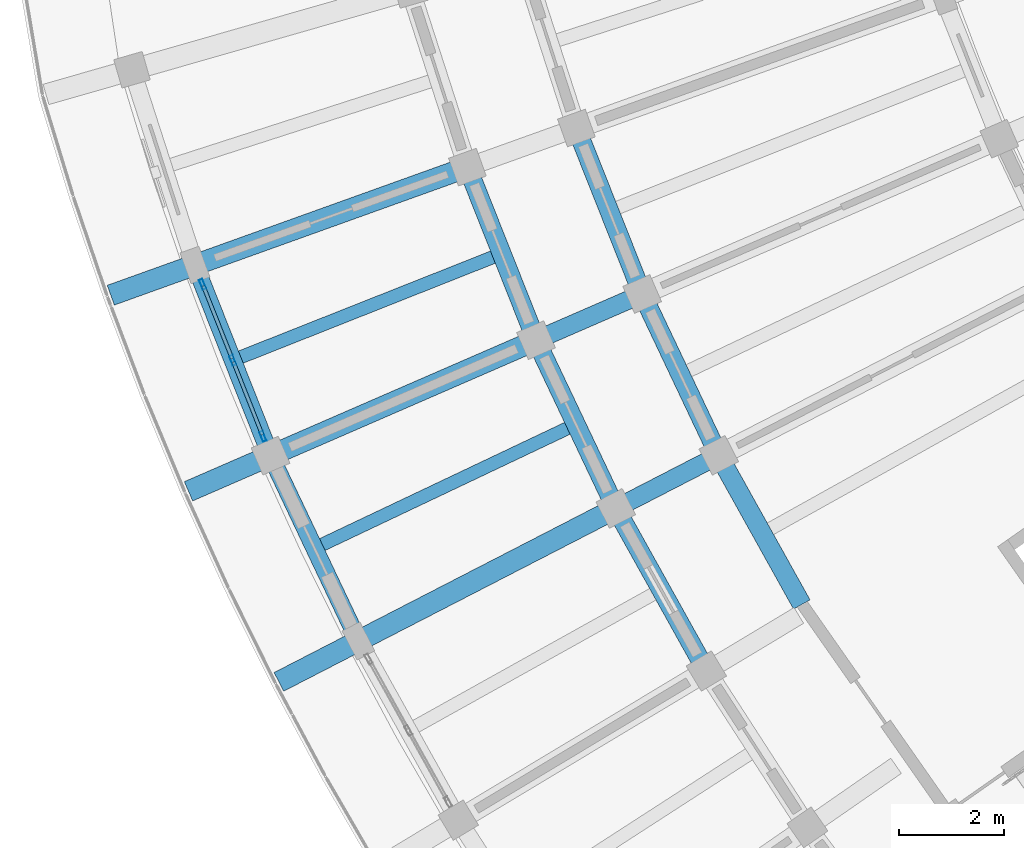
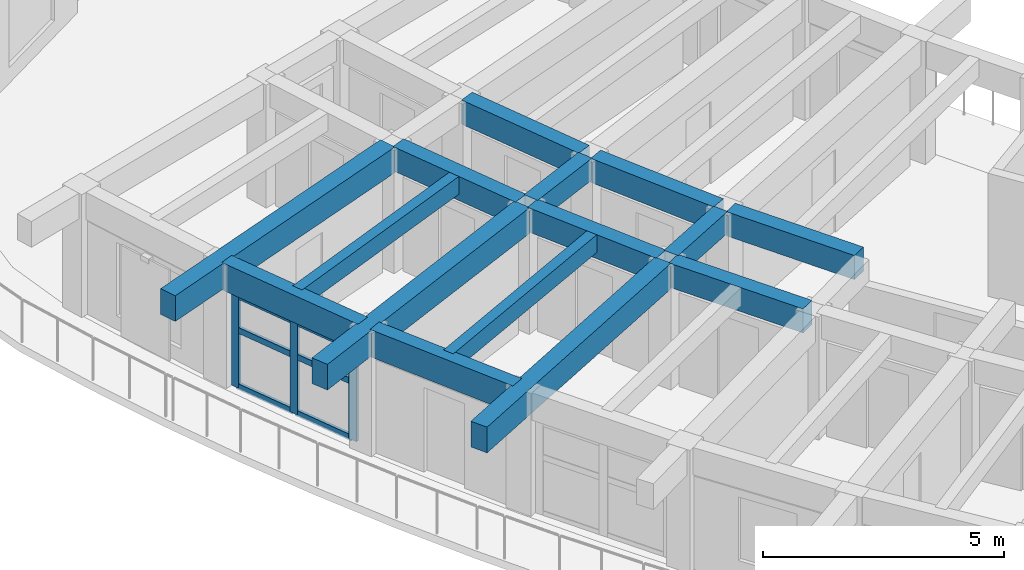
# One storey, part 10 of 96: 15 beams, 9 members, 1 element without a shape of its own.
"""IFC4 building model written with IfcOpenShell, lengths in metres."""

from ifc_helpers import new_model, si_unit, direction, frame, origin, origin_2d, place, context, subcontext, project, spatial, rectangle, hollow_rectangle, extrude, material, material_profile, profile_set, type_object, element, aggregate, save


model = new_model("IFC4")

# Units and contexts
model_context = context("Model", 3, precision=1e-05, world=origin(), true_north=direction((0.0, 1.0)))
body_context = subcontext(model_context, "Body", "Model", "MODEL_VIEW")
ifc_project = project(units=[si_unit("LENGTHUNIT", "METRE"), si_unit("AREAUNIT", "SQUARE_METRE"), si_unit("VOLUMEUNIT", "CUBIC_METRE"), si_unit("PLANEANGLEUNIT", "RADIAN"), si_unit("MASSUNIT", "GRAM", prefix="KILO")], contexts=[model_context])

# Site, building, storey
site_placement = place(None, origin())
site = spatial("IfcSite", under=ifc_project, at=site_placement, CompositionType="ELEMENT")
building_placement = place(site_placement, origin())
building = spatial("IfcBuilding", under=site, at=building_placement, Name="Tanwirah Colonnade Gardens", CompositionType="ELEMENT")
storey_placement = place(building_placement, frame((0.0, 0.0, 12.199951171875)))
storey = spatial("IfcBuildingStorey", under=building, at=storey_placement, Name="L03", CompositionType="ELEMENT", Elevation=12.199951171875)

# Beams
ifc_material_1 = material(Name="Precast concrete C40/50", Category="concrete")
ifc_material_profile_1 = material_profile(ifc_material_1, rectangle(XDim=0.360107421875, YDim=0.610107421875, at=origin_2d()), Name="PC-BM 360x610")
ifc_profile_set_1 = profile_set([ifc_material_profile_1], Name="Precast concrete C40/50")
beam_type_1 = type_object("IfcBeamType", Name="BM-PC300", PredefinedType="BEAM", material=ifc_profile_set_1)
beam_1_placement = place(storey_placement, frame((16.25537109375, 46.839599609375, 2.800048828125), z_axis=(0.368544574427, -0.929610077753, 0.0), x_axis=(0.929610077753, 0.368544574427, 0.0)))
element("IfcBeam", 1, at=beam_1_placement, inside=storey, type_object=beam_type_1, Name="Block C L03 Circumferential Beam 1-R1", PredefinedType="BEAM", context=body_context, shape_type="SweptSolid", body=[
    extrude(rectangle(XDim=0.360107421875, YDim=0.610107421875, at=origin_2d()), origin(), (0.0, 0.0, 1.0), 3.093017578125),
])
beam_2_placement = place(storey_placement, frame((14.184814453125, 46.09619140625, 2.800048828125), z_axis=(0.368527954052, -0.929616666741, 0.0), x_axis=(0.929616666741, 0.368527954052, 0.0)))
element("IfcBeam", 2, at=beam_2_placement, inside=storey, type_object=beam_type_1, Name="Block C L03 Circumferential Beam 1-R2", PredefinedType="BEAM", context=body_context, shape_type="SweptSolid", body=[
    extrude(rectangle(XDim=0.360107421875, YDim=0.610107421875, at=origin_2d()), origin(), (0.0, 0.0, 1.0), 3.23681640625),
])
beam_3_placement = place(storey_placement, frame((17.5146484375, 43.689453125, 2.800048828125), z_axis=(0.428520598641, -0.903532011907, 0.0), x_axis=(0.903532011907, 0.428520598641, 0.0)))
element("IfcBeam", 3, at=beam_3_placement, inside=storey, type_object=beam_type_1, Name="Block C L03 Circumferential Beam 2-R1", PredefinedType="BEAM", context=body_context, shape_type="SweptSolid", body=[
    extrude(rectangle(XDim=0.360107421875, YDim=0.610107421875, at=origin_2d()), origin(), (0.0, 0.0, 1.0), 3.093017578125),
])
beam_4_placement = place(storey_placement, frame((15.4970703125, 42.81201171875, 2.800048828125), z_axis=(0.428562893949, -0.903511951183, 0.0), x_axis=(0.903511951183, 0.428562893949, 0.0)))
element("IfcBeam", 4, at=beam_4_placement, inside=storey, type_object=beam_type_1, Name="Block C L03 Circumferential Beam 2-R2", PredefinedType="BEAM", context=body_context, shape_type="SweptSolid", body=[
    extrude(rectangle(XDim=0.360107421875, YDim=0.610107421875, at=origin_2d()), origin(), (0.0, 0.0, 1.0), 3.23681640625),
])
beam_5_placement = place(storey_placement, frame((18.9775390625, 40.628173828125, 2.800048828125), z_axis=(0.486708181837, -0.873564620239, 0.0), x_axis=(0.873564620239, 0.486708181837, 0.0)))
element("IfcBeam", 5, at=beam_5_placement, inside=storey, type_object=beam_type_1, Name="Block C L03 Circumferential Beam 3-R1", PredefinedType="BEAM", context=body_context, shape_type="SweptSolid", body=[
    extrude(rectangle(XDim=0.360107421875, YDim=0.610107421875, at=origin_2d()), origin(), (0.0, 0.0, 1.0), 3.093017578125),
])
beam_6_placement = place(storey_placement, frame((17.021728515625, 39.620849609375, 2.800048828125), z_axis=(0.486712025227, -0.873562478875, 0.0), x_axis=(0.873562478875, 0.486712025227, 0.0)))
element("IfcBeam", 6, at=beam_6_placement, inside=storey, type_object=beam_type_1, Name="Block C L03 Circumferential Beam 3-R2", PredefinedType="BEAM", context=body_context, shape_type="SweptSolid", body=[
    extrude(rectangle(XDim=0.360107421875, YDim=0.610107421875, at=origin_2d()), origin(), (0.0, 0.0, 1.0), 3.23681640625),
])
ifc_material_profile_2 = material_profile(ifc_material_1, rectangle(XDim=0.35009765625, YDim=0.550048828125, at=origin_2d()), Name="PC-BM 350x550")
ifc_profile_set_2 = profile_set([ifc_material_profile_2], Name="Precast concrete C40/50")
beam_type_2 = type_object("IfcBeamType", Name="BM-PC350A", PredefinedType="BEAM", material=ifc_profile_set_2)
beam_7_placement = place(storey_placement, frame((17.31298828125, 43.76513671875, 2.830078125), z_axis=(-0.917025109963, -0.398829471952, 0.0), x_axis=(0.398829471952, -0.917025109963, 0.0)))
element("IfcBeam", 7, at=beam_7_placement, inside=storey, type_object=beam_type_2, Name="Block C L03 Corridor Tie Beam 2", PredefinedType="BEAM", context=body_context, shape_type="SweptSolid", body=[
    extrude(rectangle(XDim=0.35009765625, YDim=0.550048828125, at=origin_2d()), origin(), (0.0, 0.0, 1.0), 1.900146484375),
])
beam_8_placement = place(storey_placement, frame((18.77099609375, 40.690673828125, 2.830078125), z_axis=(-0.888965044602, -0.457975053334, 0.0), x_axis=(0.457975053334, -0.888965044602, 0.0)))
element("IfcBeam", 8, at=beam_8_placement, inside=storey, type_object=beam_type_2, Name="Block C L03 Corridor Tie Beam 3", PredefinedType="BEAM", context=body_context, shape_type="SweptSolid", body=[
    extrude(rectangle(XDim=0.35009765625, YDim=0.550048828125, at=origin_2d()), origin(), (0.0, 0.0, 1.0), 1.89990234375),
])
ifc_material_2 = material(Name="Precast concrete C45/55", Category="concrete")
ifc_material_profile_3 = material_profile(ifc_material_2, rectangle(XDim=0.39990234375, YDim=0.64990234375, at=origin_2d()), Name="PC-BM 400x650")
ifc_profile_set_3 = profile_set([ifc_material_profile_3], Name="Precast concrete C45/55")
beam_type_3 = type_object("IfcBeamType", Name="BM-PC400", PredefinedType="BEAM", material=ifc_profile_set_3)
for number, where, z_axis, x_axis, name in (
    (9, (13.98828125, 46.184814453125, 2.780029296875), (-0.941174903614, -0.337919814168, 0.0), (0.337919814168, -0.941174903614, 0.0), "Block C L03 Outer Radial Precast Girder 1"),
    (10, (15.29541015625, 42.8876953125, 2.780029296875), (-0.91706895514, -0.398728643965, 0.0), (0.398728643965, -0.91706895514, 0.0), "Block C L03 Outer Radial Precast Girder 2"),
    (11, (16.815185546875, 39.683349609375, 2.780029296875), (-0.889016420099, -0.457875315774, 0.0), (0.457875315774, -0.889016420099, 0.0), "Block C L03 Outer Radial Precast Girder 3"),
):
    element("IfcBeam", number, at=place(storey_placement, frame(where, z_axis=z_axis, x_axis=x_axis)), inside=storey, type_object=beam_type_3, Name=name, PredefinedType="BEAM", context=body_context, shape_type="SweptSolid", body=[
        extrude(rectangle(XDim=0.39990234375, YDim=0.64990234375, at=origin_2d()), origin(), (0.0, 0.0, 1.0), 7.050048828125),
    ])

# Curtain wall, members
ifc_material_3 = material(Name="Bronze-anodised aluminium and solar-control low-E glass", Category="aluminium")
curtain_wall_type = type_object("IfcCurtainWallType", Name="CW-LOB", PredefinedType="NOTDEFINED", material=ifc_material_3)
curtain_wall_placement = place(storey_placement, origin())
curtain_wall = element("IfcCurtainWall", 12, at=curtain_wall_placement, inside=storey, type_object=curtain_wall_type, Name="Curtain Wall CW-C-L03-OUT-01", PredefinedType="NOTDEFINED")
ifc_material_4 = material(Name="Bronze-anodised aluminium", Category="aluminium")
ifc_material_profile_4 = material_profile(ifc_material_4, hollow_rectangle(XDim=0.070068359375, YDim=0.199951171875, WallThickness=0.00390625, at=origin_2d()), Name="CW-MUL 70x200x4")
ifc_profile_set_4 = profile_set([ifc_material_profile_4], Name="Bronze-anodised aluminium")
member_type_1 = type_object("IfcMemberType", Name="CWM-70x200", PredefinedType="MULLION", material=ifc_profile_set_4)
member_1_placement = place(storey_placement, frame((9.0986328125, 44.009765625, 0.0), z_axis=(0.0, 0.0, 1.0), x_axis=(0.929616338627, 0.368528781723, 0.0)))
member_1 = element("IfcMember", 13, at=member_1_placement, type_object=member_type_1, Name="CW-LOB mullion 1", PredefinedType="MULLION", context=body_context, shape_type="SweptSolid", body=[
    extrude(hollow_rectangle(XDim=0.070068359375, YDim=0.199951171875, WallThickness=0.00390625, at=origin_2d()), origin(), (0.0, 0.0, 1.0), 2.35498046875),
])
member_2_placement = place(storey_placement, frame((9.6708984375, 42.565673828125, 0.0), z_axis=(0.0, 0.0, 1.0), x_axis=(0.929616338627, 0.368528781723, 0.0)))
member_2 = element("IfcMember", 14, at=member_2_placement, type_object=member_type_1, Name="CW-LOB mullion 2", PredefinedType="MULLION", context=body_context, shape_type="SweptSolid", body=[
    extrude(hollow_rectangle(XDim=0.070068359375, YDim=0.199951171875, WallThickness=0.00390625, at=origin_2d()), origin(), (0.0, 0.0, 1.0), 2.35498046875),
])
member_3_placement = place(storey_placement, frame((10.243408203125, 41.12158203125, 0.0), z_axis=(0.0, 0.0, 1.0), x_axis=(0.929616338627, 0.368528781723, 0.0)))
member_3 = element("IfcMember", 15, at=member_3_placement, type_object=member_type_1, Name="CW-LOB mullion 3", PredefinedType="MULLION", context=body_context, shape_type="SweptSolid", body=[
    extrude(hollow_rectangle(XDim=0.070068359375, YDim=0.199951171875, WallThickness=0.00390625, at=origin_2d()), origin(), (0.0, 0.0, 1.0), 2.35498046875),
])
ifc_material_profile_5 = material_profile(ifc_material_4, hollow_rectangle(XDim=0.070068359375, YDim=0.14990234375, WallThickness=0.00390625, at=origin_2d()), Name="CW-TRN 70x150x4")
ifc_profile_set_5 = profile_set([ifc_material_profile_5], Name="Bronze-anodised aluminium")
member_type_2 = type_object("IfcMemberType", Name="CWT-70x150", PredefinedType="USERDEFINED", material=ifc_profile_set_5)
member_4_placement = place(storey_placement, frame((9.111328125, 43.977294921875, 0.03515625), z_axis=(0.368664952583, -0.929562344728, 0.0), x_axis=(0.929562344728, 0.368664952583, 0.0)))
member_4 = element("IfcMember", 16, at=member_4_placement, type_object=member_type_2, Name="CW-LOB transom 1.1", ObjectType="TRANSOM", PredefinedType="USERDEFINED", context=body_context, shape_type="SweptSolid", body=[
    extrude(hollow_rectangle(XDim=0.070068359375, YDim=0.14990234375, WallThickness=0.00390625, at=origin_2d()), origin(), (0.0, 0.0, 1.0), 1.4833984375),
])
member_5_placement = place(storey_placement, frame((9.111328125, 43.977294921875, 1.460205078125), z_axis=(0.368664952583, -0.929562344728, 0.0), x_axis=(0.929562344728, 0.368664952583, 0.0)))
member_5 = element("IfcMember", 17, at=member_5_placement, type_object=member_type_2, Name="CW-LOB transom 1.2", ObjectType="TRANSOM", PredefinedType="USERDEFINED", context=body_context, shape_type="SweptSolid", body=[
    extrude(hollow_rectangle(XDim=0.070068359375, YDim=0.14990234375, WallThickness=0.00390625, at=origin_2d()), origin(), (0.0, 0.0, 1.0), 1.4833984375),
])
member_6_placement = place(storey_placement, frame((9.111328125, 43.977294921875, 2.320068359375), z_axis=(0.368664952583, -0.929562344728, 0.0), x_axis=(0.929562344728, 0.368664952583, 0.0)))
member_6 = element("IfcMember", 18, at=member_6_placement, type_object=member_type_2, Name="CW-LOB transom 1.3", ObjectType="TRANSOM", PredefinedType="USERDEFINED", context=body_context, shape_type="SweptSolid", body=[
    extrude(hollow_rectangle(XDim=0.070068359375, YDim=0.14990234375, WallThickness=0.00390625, at=origin_2d()), origin(), (0.0, 0.0, 1.0), 1.4833984375),
])
member_7_placement = place(storey_placement, frame((9.683837890625, 42.533203125, 0.03515625), z_axis=(0.368664952583, -0.929562344728, 0.0), x_axis=(0.929562344728, 0.368664952583, 0.0)))
member_7 = element("IfcMember", 19, at=member_7_placement, type_object=member_type_2, Name="CW-LOB transom 2.1", ObjectType="TRANSOM", PredefinedType="USERDEFINED", context=body_context, shape_type="SweptSolid", body=[
    extrude(hollow_rectangle(XDim=0.070068359375, YDim=0.14990234375, WallThickness=0.00390625, at=origin_2d()), origin(), (0.0, 0.0, 1.0), 1.4833984375),
])
member_8_placement = place(storey_placement, frame((9.683837890625, 42.533203125, 1.460205078125), z_axis=(0.368664952583, -0.929562344728, 0.0), x_axis=(0.929562344728, 0.368664952583, 0.0)))
member_8 = element("IfcMember", 20, at=member_8_placement, type_object=member_type_2, Name="CW-LOB transom 2.2", ObjectType="TRANSOM", PredefinedType="USERDEFINED", context=body_context, shape_type="SweptSolid", body=[
    extrude(hollow_rectangle(XDim=0.070068359375, YDim=0.14990234375, WallThickness=0.00390625, at=origin_2d()), origin(), (0.0, 0.0, 1.0), 1.4833984375),
])
member_9_placement = place(storey_placement, frame((9.683837890625, 42.533203125, 2.320068359375), z_axis=(0.368664952583, -0.929562344728, 0.0), x_axis=(0.929562344728, 0.368664952583, 0.0)))
member_9 = element("IfcMember", 21, at=member_9_placement, type_object=member_type_2, Name="CW-LOB transom 2.3", ObjectType="TRANSOM", PredefinedType="USERDEFINED", context=body_context, shape_type="SweptSolid", body=[
    extrude(hollow_rectangle(XDim=0.070068359375, YDim=0.14990234375, WallThickness=0.00390625, at=origin_2d()), origin(), (0.0, 0.0, 1.0), 1.4833984375),
])
aggregate(curtain_wall, [member_1, member_2, member_3, member_4, member_5, member_6, member_7, member_8, member_9])

# Beams
ifc_material_profile_6 = material_profile(ifc_material_1, rectangle(XDim=0.25, YDim=0.449951171875, at=origin_2d()), Name="PC-JST 250x450")
ifc_profile_set_6 = profile_set([ifc_material_profile_6], Name="Precast concrete C40/50")
beam_type_4 = type_object("IfcBeamType", Name="JST-PC250", PredefinedType="JOIST", material=ifc_profile_set_6)
for number, where, z_axis, x_axis, name in (
    (22, (14.642822265625, 44.53662109375, 2.880126953125), (-0.929618207145, -0.368524068338, 0.0), (0.368524068338, -0.929618207145, 0.0), "Block C L03 Precast Floor Joist 1"),
    (23, (16.05615234375, 41.285888671875, 2.880126953125), (-0.903517509842, -0.428551174785, 0.0), (0.428551174785, -0.903517509842, 0.0), "Block C L03 Precast Floor Joist 2"),
):
    element("IfcBeam", number, at=place(storey_placement, frame(where, z_axis=z_axis, x_axis=x_axis)), inside=storey, type_object=beam_type_4, Name=name, PredefinedType="JOIST", context=body_context, shape_type="SweptSolid", body=[
        extrude(rectangle(XDim=0.25, YDim=0.449951171875, at=origin_2d()), origin(), (0.0, 0.0, 1.0), 5.260009765625),
    ])
ifc_material_profile_7 = material_profile(ifc_material_1, rectangle(XDim=0.330078125, YDim=0.68994140625, at=origin_2d()), Name="PC-SP 330x690")
ifc_profile_set_7 = profile_set([ifc_material_profile_7], Name="Precast concrete C40/50")
beam_type_5 = type_object("IfcBeamType", Name="SP-PC280", PredefinedType="SPANDREL", material=ifc_profile_set_7)
for number, where, z_axis, x_axis, name in (
    (24, (9.00830078125, 44.237548828125, 2.760009765625), (0.368521552478, -0.929619204491, 0.0), (0.929619204491, 0.368521552478, 0.0), "Block C L03 Circumferential Beam 1-R3"),
    (25, (10.453369140625, 40.618896484375, 2.760009765625), (0.428518139447, -0.903533178231, 0.0), (0.903533178231, 0.428518139447, 0.0), "Block C L03 Circumferential Beam 2-R3"),
):
    element("IfcBeam", number, at=place(storey_placement, frame(where, z_axis=z_axis, x_axis=x_axis)), inside=storey, type_object=beam_type_5, Name=name, PredefinedType="SPANDREL", context=body_context, shape_type="SweptSolid", body=[
        extrude(rectangle(XDim=0.330078125, YDim=0.68994140625, at=origin_2d()), origin(), (0.0, 0.0, 1.0), 3.5966796875),
    ])

save(model, "model.ifc")
